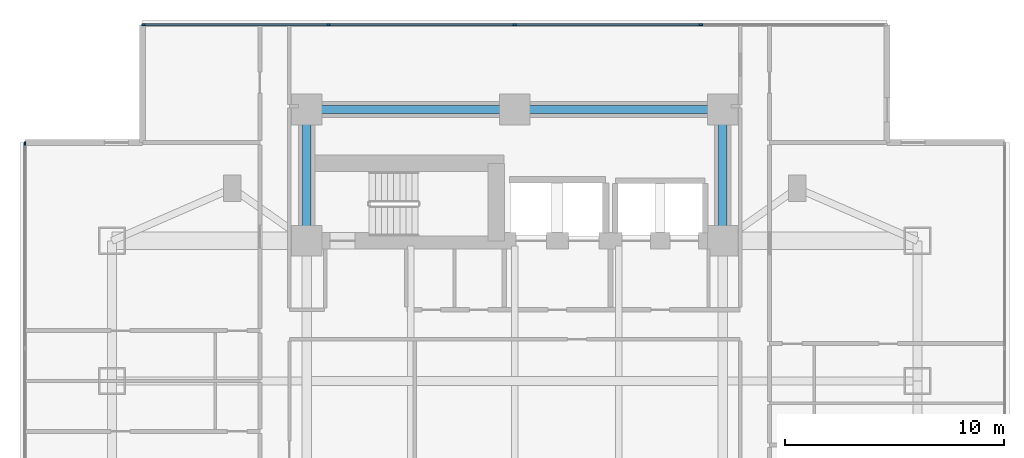
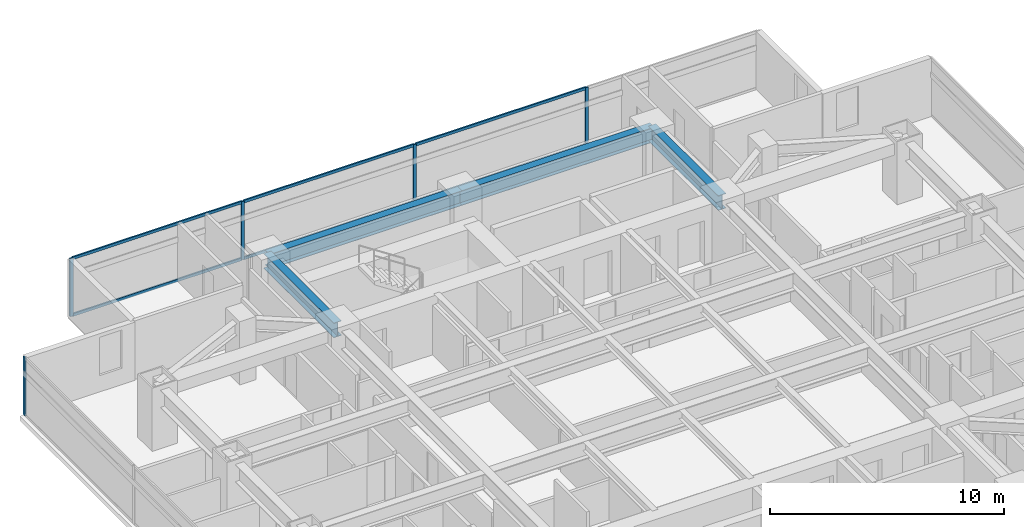
# One storey, part 7 of 26: 11 members, 4 beams, 2 elements without a shape of their own.
"""IFC4 building model written with IfcOpenShell, lengths in metres."""

from ifc_helpers import new_model, si_unit, direction, frame, origin, origin_2d, place, context, subcontext, project, spatial, rectangle, i_section, extrude, material, material_profile, profile_set, type_object, element, aggregate, save


model = new_model("IFC4")

# Units and contexts
model_context = context("Model", 3, precision=1e-05, world=origin(), true_north=direction((0.0, 1.0)))
body_context = subcontext(model_context, "Body", "Model", "MODEL_VIEW")
ifc_project = project(units=[si_unit("LENGTHUNIT", "METRE"), si_unit("AREAUNIT", "SQUARE_METRE"), si_unit("VOLUMEUNIT", "CUBIC_METRE"), si_unit("PLANEANGLEUNIT", "RADIAN"), si_unit("MASSUNIT", "GRAM", prefix="KILO")], contexts=[model_context])

# Site, building, storey
site_placement = place(None, origin())
site = spatial("IfcSite", under=ifc_project, at=site_placement, CompositionType="ELEMENT")
building_placement = place(site_placement, origin())
building = spatial("IfcBuilding", under=site, at=building_placement, Name="Mirazonda Arch Towers", CompositionType="ELEMENT")
storey_placement = place(building_placement, frame((0.0, 0.0, 38.89990234375)))
storey = spatial("IfcBuildingStorey", under=building, at=storey_placement, Name="L10", CompositionType="ELEMENT", Elevation=38.89990234375)

# Beams
ifc_material_1 = material(Name="Steel ASTM A992 Grade 50", Category="steel")
ifc_material_profile_1 = material_profile(ifc_material_1, i_section(OverallWidth=0.381103515625, OverallDepth=0.77294921875, WebThickness=0.0166015625, FlangeThickness=0.027099609375, at=origin_2d()), Name="W30X173")
ifc_profile_set_1 = profile_set([ifc_material_profile_1], Name="Steel ASTM A992 Grade 50")
beam_type = type_object("IfcBeamType", Name="BM-INT-W30X173", PredefinedType="USERDEFINED", material=ifc_profile_set_1)
for number, where, z_axis, x_axis, name in (
    (1, (11.0, 43.60009765625, 2.673583984375), (1.0, 0.0, 0.0), (0.0, 1.0, 0.0), "L10 Floor Beam BM-T1-L10-CN1"),
    (2, (20.5, 43.60009765625, 2.673583984375), (1.0, 0.0, 0.0), (0.0, 1.0, 0.0), "L10 Floor Beam BM-T1-L10-CN2"),
):
    element("IfcBeam", number, at=place(storey_placement, frame(where, z_axis=z_axis, x_axis=x_axis)), inside=storey, type_object=beam_type, Name=name, ObjectType="GIRDER", PredefinedType="USERDEFINED", context=body_context, shape_type="SweptSolid", body=[
        extrude(i_section(OverallWidth=0.381103515625, OverallDepth=0.77294921875, WebThickness=0.0166015625, FlangeThickness=0.027099609375, at=origin_2d()), origin(), (0.0, 0.0, 1.0), 9.5),
    ])
for number, where, z_axis, x_axis, name in (
    (3, (11.0, 37.60009765625, 2.673583984375), (0.0, 1.0, 0.0), (-1.0, 0.0, 0.0), "L10 Floor Beam BM-T1-L10-CNW"),
    (4, (30.0, 37.60009765625, 2.673583984375), (0.0, 1.0, 0.0), (-1.0, 0.0, 0.0), "L10 Floor Beam BM-T1-L10-CNE"),
):
    element("IfcBeam", number, at=place(storey_placement, frame(where, z_axis=z_axis, x_axis=x_axis)), inside=storey, type_object=beam_type, Name=name, ObjectType="GIRDER", PredefinedType="USERDEFINED", context=body_context, shape_type="SweptSolid", body=[
        extrude(i_section(OverallWidth=0.381103515625, OverallDepth=0.77294921875, WebThickness=0.0166015625, FlangeThickness=0.027099609375, at=origin_2d()), origin(), (0.0, 0.0, 1.0), 6.0),
    ])

# Curtain wall, members
ifc_material_2 = material(Name="Anodised Aluminium and Low-E Glass", Category="aluminium")
curtain_wall_type = type_object("IfcCurtainWallType", Name="CW-HTL-UNIT", PredefinedType="NOTDEFINED", material=ifc_material_2)
curtain_wall_1_placement = place(storey_placement, origin())
curtain_wall_1 = element("IfcCurtainWall", 5, at=curtain_wall_1_placement, inside=storey, type_object=curtain_wall_type, Name="L10 T1 N Facade CW-L10-T1-N", PredefinedType="NOTDEFINED")
ifc_material_3 = material(Name="Anodised Aluminium Alloy", Category="aluminium")
ifc_material_profile_2 = material_profile(ifc_material_3, rectangle(XDim=0.074951171875, YDim=0.1650390625, at=origin_2d()), Name="ALU-MULL-75x165")
ifc_profile_set_2 = profile_set([ifc_material_profile_2], Name="Anodised Aluminium Alloy")
member_type_1 = type_object("IfcMemberType", Name="MULL-CW-HTL-UNIT", PredefinedType="MULLION", material=ifc_profile_set_2)
member_1_placement = place(storey_placement, frame((3.53759765625, 47.469970703125, 0.0), z_axis=(0.0, 0.0, 1.0), x_axis=(0.0, 1.0, 0.0)))
member_1 = element("IfcMember", 6, at=member_1_placement, type_object=member_type_1, Name="CW-112 mullion 1", PredefinedType="MULLION", context=body_context, shape_type="SweptSolid", body=[
    extrude(rectangle(XDim=0.074951171875, YDim=0.1650390625, at=origin_2d()), origin(), (0.0, 0.0, 1.0), 3.0400390625),
])
member_2_placement = place(storey_placement, frame((12.0, 47.469970703125, 0.0), z_axis=(0.0, 0.0, 1.0), x_axis=(0.0, 1.0, 0.0)))
member_2 = element("IfcMember", 7, at=member_2_placement, type_object=member_type_1, Name="CW-112 mullion 2", PredefinedType="MULLION", context=body_context, shape_type="SweptSolid", body=[
    extrude(rectangle(XDim=0.074951171875, YDim=0.1650390625, at=origin_2d()), origin(), (0.0, 0.0, 1.0), 3.0400390625),
])
member_3_placement = place(storey_placement, frame((20.5, 47.469970703125, 0.0), z_axis=(0.0, 0.0, 1.0), x_axis=(0.0, 1.0, 0.0)))
member_3 = element("IfcMember", 8, at=member_3_placement, type_object=member_type_1, Name="CW-112 mullion 3", PredefinedType="MULLION", context=body_context, shape_type="SweptSolid", body=[
    extrude(rectangle(XDim=0.074951171875, YDim=0.1650390625, at=origin_2d()), origin(), (0.0, 0.0, 1.0), 3.0400390625),
])
member_4_placement = place(storey_placement, frame((29.0, 47.469970703125, 0.0), z_axis=(0.0, 0.0, 1.0), x_axis=(0.0, 1.0, 0.0)))
member_4 = element("IfcMember", 9, at=member_4_placement, type_object=member_type_1, Name="CW-112 mullion 4", PredefinedType="MULLION", context=body_context, shape_type="SweptSolid", body=[
    extrude(rectangle(XDim=0.074951171875, YDim=0.1650390625, at=origin_2d()), origin(), (0.0, 0.0, 1.0), 3.0400390625),
])

# Curtain wall, member
curtain_wall_2_placement = place(storey_placement, origin())
curtain_wall_2 = element("IfcCurtainWall", 10, at=curtain_wall_2_placement, inside=storey, type_object=curtain_wall_type, Name="L10 T1 W Facade CW-L10-T1-W", PredefinedType="NOTDEFINED")
member_5_placement = place(storey_placement, frame((-1.8798828125, 42.052490234375, 0.0), z_axis=(0.0, 0.0, 1.0), x_axis=(1.0, 0.0, 0.0)))
member_5 = element("IfcMember", 11, at=member_5_placement, type_object=member_type_1, Name="CW-112 mullion 1", PredefinedType="MULLION", context=body_context, shape_type="SweptSolid", body=[
    extrude(rectangle(XDim=0.074951171875, YDim=0.1650390625, at=origin_2d()), origin(), (0.0, 0.0, 1.0), 3.0400390625),
])
aggregate(curtain_wall_2, [member_5])

# Member
ifc_material_profile_3 = material_profile(ifc_material_3, rectangle(XDim=0.074951171875, YDim=0.14501953125, at=origin_2d()), Name="ALU-TRAN-75x145")
ifc_profile_set_3 = profile_set([ifc_material_profile_3], Name="Anodised Aluminium Alloy")
member_type_2 = type_object("IfcMemberType", Name="TRAN-CW-HTL-UNIT", PredefinedType="USERDEFINED", material=ifc_profile_set_3)
member_6_placement = place(storey_placement, frame((3.574951171875, 47.469970703125, 0.03759765625), z_axis=(1.0, 0.0, 0.0), x_axis=(0.0, 1.0, 0.0)))
member_6 = element("IfcMember", 12, at=member_6_placement, type_object=member_type_2, Name="CW-112 transom 1.1", ObjectType="TRANSOM", PredefinedType="USERDEFINED", context=body_context, shape_type="SweptSolid", body=[
    extrude(rectangle(XDim=0.074951171875, YDim=0.14501953125, at=origin_2d()), origin(), (0.0, 0.0, 1.0), 8.387451171875),
])

member_7_placement = place(storey_placement, frame((3.574951171875, 47.469970703125, 3.002685546875), z_axis=(1.0, 0.0, 0.0), x_axis=(0.0, 1.0, 0.0)))
member_7 = element("IfcMember", 13, at=member_7_placement, type_object=member_type_2, Name="CW-112 transom 1.2", ObjectType="TRANSOM", PredefinedType="USERDEFINED", context=body_context, shape_type="SweptSolid", body=[
    extrude(rectangle(XDim=0.074951171875, YDim=0.14501953125, at=origin_2d()), origin(), (0.0, 0.0, 1.0), 8.387451171875),
])

member_8_placement = place(storey_placement, frame((12.03759765625, 47.469970703125, 0.03759765625), z_axis=(1.0, 0.0, 0.0), x_axis=(0.0, 1.0, 0.0)))
member_8 = element("IfcMember", 14, at=member_8_placement, type_object=member_type_2, Name="CW-112 transom 2.1", ObjectType="TRANSOM", PredefinedType="USERDEFINED", context=body_context, shape_type="SweptSolid", body=[
    extrude(rectangle(XDim=0.074951171875, YDim=0.14501953125, at=origin_2d()), origin(), (0.0, 0.0, 1.0), 8.4248046875),
])

member_9_placement = place(storey_placement, frame((12.03759765625, 47.469970703125, 3.002685546875), z_axis=(1.0, 0.0, 0.0), x_axis=(0.0, 1.0, 0.0)))
member_9 = element("IfcMember", 15, at=member_9_placement, type_object=member_type_2, Name="CW-112 transom 2.2", ObjectType="TRANSOM", PredefinedType="USERDEFINED", context=body_context, shape_type="SweptSolid", body=[
    extrude(rectangle(XDim=0.074951171875, YDim=0.14501953125, at=origin_2d()), origin(), (0.0, 0.0, 1.0), 8.4248046875),
])

member_10_placement = place(storey_placement, frame((20.53759765625, 47.469970703125, 0.03759765625), z_axis=(1.0, 0.0, 0.0), x_axis=(0.0, 1.0, 0.0)))
member_10 = element("IfcMember", 16, at=member_10_placement, type_object=member_type_2, Name="CW-112 transom 3.1", ObjectType="TRANSOM", PredefinedType="USERDEFINED", context=body_context, shape_type="SweptSolid", body=[
    extrude(rectangle(XDim=0.074951171875, YDim=0.14501953125, at=origin_2d()), origin(), (0.0, 0.0, 1.0), 8.4248046875),
])

member_11_placement = place(storey_placement, frame((20.53759765625, 47.469970703125, 3.002685546875), z_axis=(1.0, 0.0, 0.0), x_axis=(0.0, 1.0, 0.0)))
member_11 = element("IfcMember", 17, at=member_11_placement, type_object=member_type_2, Name="CW-112 transom 3.2", ObjectType="TRANSOM", PredefinedType="USERDEFINED", context=body_context, shape_type="SweptSolid", body=[
    extrude(rectangle(XDim=0.074951171875, YDim=0.14501953125, at=origin_2d()), origin(), (0.0, 0.0, 1.0), 8.4248046875),
])

aggregate(curtain_wall_1, [member_1, member_2, member_3, member_4, member_6, member_7, member_8, member_9, member_10, member_11])

save(model, "model.ifc")
